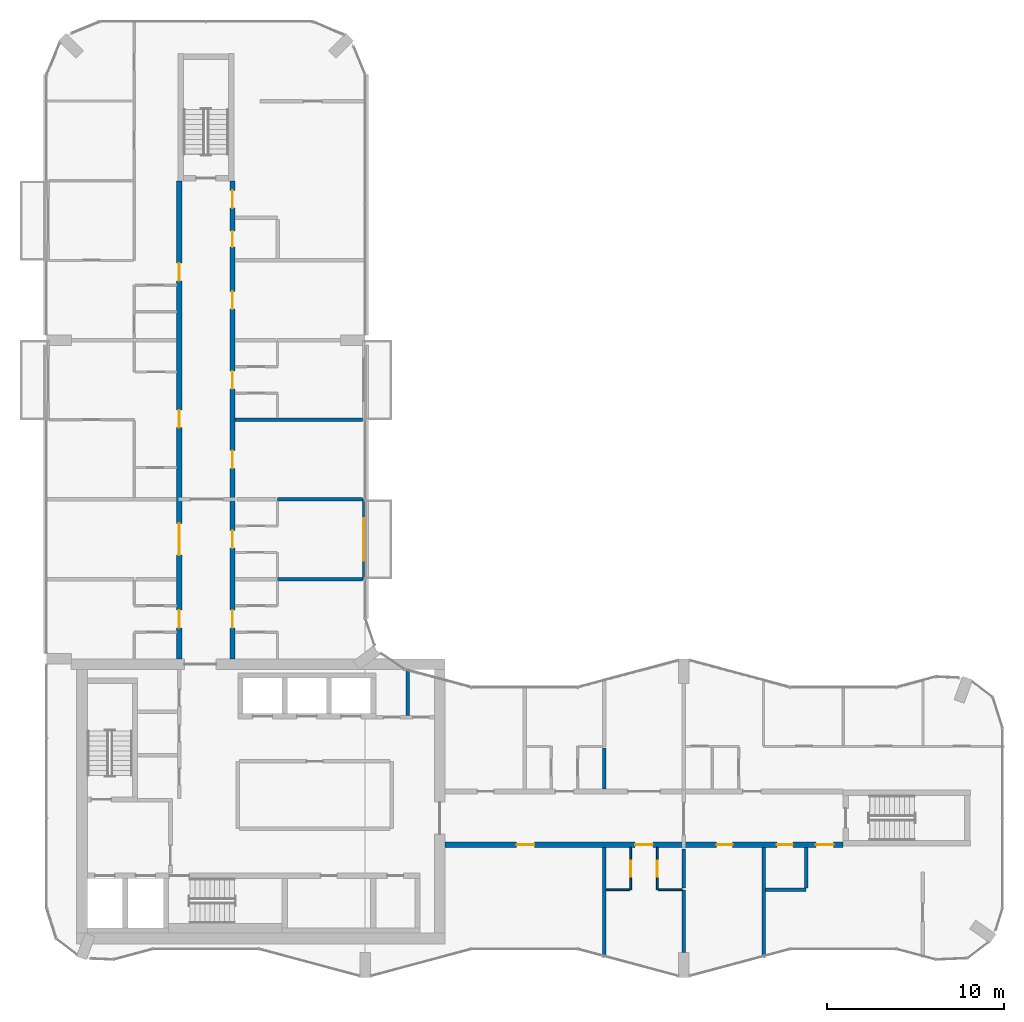
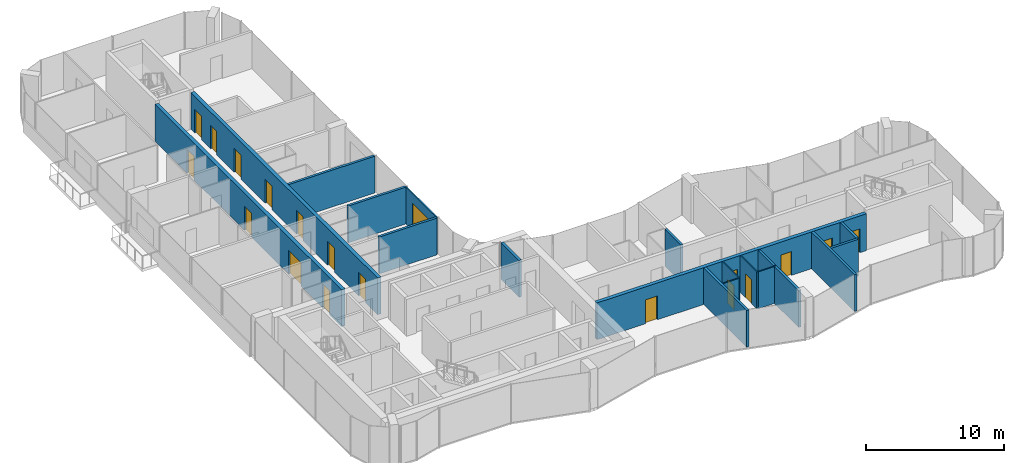
# One storey, part 11 of 15: 19 doors, 19 walls, 19 openings.
"""IFC4 building model written with IfcOpenShell, lengths in metres."""

from ifc_helpers import new_model, si_unit, direction, frame, frame_2d, origin, place, context, subcontext, project, spatial, rectangle, extrude, material, layer, layer_set, type_object, element, fill, save


model = new_model("IFC4")

# Units and contexts
model_context = context("Model", 3, precision=1e-05, world=origin(), true_north=direction((0.0, 1.0)))
body_context = subcontext(model_context, "Body", "Model", "MODEL_VIEW")
ifc_project = project(units=[si_unit("LENGTHUNIT", "METRE"), si_unit("AREAUNIT", "SQUARE_METRE"), si_unit("VOLUMEUNIT", "CUBIC_METRE"), si_unit("PLANEANGLEUNIT", "RADIAN"), si_unit("MASSUNIT", "GRAM", prefix="KILO")], contexts=[model_context])

# Site, building, storey
site_placement = place(None, origin())
site = spatial("IfcSite", under=ifc_project, at=site_placement, CompositionType="ELEMENT")
building_placement = place(site_placement, origin())
building = spatial("IfcBuilding", under=site, at=building_placement, Name="Plateau Cross Towers", CompositionType="ELEMENT")
storey_placement = place(building_placement, frame((0.0, 0.0, 174.39990234375)))
storey = spatial("IfcBuildingStorey", under=building, at=storey_placement, Name="L45", CompositionType="ELEMENT", Elevation=174.39990234375)

# Wall, opening, door
ifc_material_1 = material(Name="Aluminium framed glazing", Category="aluminium")
ifc_layer_1 = layer(ifc_material_1, 0.10009765625)
ifc_layer_set_1 = layer_set([ifc_layer_1], Name="Aluminium framed glazing")
wall_type_1 = type_object("IfcWallType", Name="Balcony screen wall 100", PredefinedType="STANDARD", material=ifc_layer_set_1)
wall_1_placement = place(storey_placement, frame((17.89990234375, 27.0, 0.0), z_axis=(0.0, 0.0, 1.0), x_axis=(0.0, -1.0, 0.0)))
wall_1 = element("IfcWall", 1, at=wall_1_placement, inside=storey, type_object=wall_type_1, Name="Balcony screen wall A-BAL-L45-03", PredefinedType="STANDARD", context=body_context, shape_type="SweptSolid", body=[
    extrude(rectangle(XDim=4.5, YDim=0.10009765625, at=frame_2d((2.25, 0.0))), origin(), (0.0, 0.0, 1.0), 3.25),
])
opening_1_placement = place(wall_1_placement, frame((1.050048828125, 0.0, 0.0)))
opening_1 = element("IfcOpeningElement", 2, at=opening_1_placement, cuts=wall_1, Name="Opening D-B24", PredefinedType="OPENING", context=body_context, shape_type="SweptSolid", body=[
    extrude(rectangle(XDim=2.39990234375, YDim=2.39990234375, at=frame_2d((1.199951171875, 1.199951171875))), frame((0.0, 0.06005859375, 0.0), z_axis=(0.0, -1.0, 0.0), x_axis=(1.0, 0.0, 0.0)), (0.0, 0.0, 1.0), 0.1201171875),
])
ifc_material_2 = material(Name="Aluminium frame, double glazing", Category="aluminium")
door_type_1 = type_object("IfcDoorType", Name="Balcony sliding door 2400", OperationType="NOTDEFINED", PredefinedType="DOOR", material=ifc_material_2)
door_1_placement = place(opening_1_placement, origin())
door_1 = element("IfcDoor", 3, at=door_1_placement, inside=storey, type_object=door_type_1, Name="Balcony door A-BAL-L45-03", OperationType="SINGLE_SWING_LEFT", OverallHeight=2.39990234375, OverallWidth=2.39990234375, PredefinedType="DOOR", context=body_context, shape_type="SweptSolid", body=[
    extrude(rectangle(XDim=2.39990234375, YDim=2.39990234375, at=frame_2d((1.199951171875, 1.199951171875))), frame((0.0, 0.02490234375, 0.0), z_axis=(0.0, -1.0, 0.0), x_axis=(1.0, 0.0, 0.0)), (0.0, 0.0, 1.0), 0.050048828125),
])
fill(opening_1, door_1)

# Wall
ifc_material_3 = material(Name="Concrete block, plastered both sides", Category="concrete")
ifc_layer_2 = layer(ifc_material_3, 0.199951171875)
ifc_layer_set_2 = layer_set([ifc_layer_2], Name="Concrete block, plastered both sides")
wall_type_2 = type_object("IfcWallType", Name="Core partition 200", PredefinedType="PARTITIONING", material=ifc_layer_set_2)
wall_2_placement = place(storey_placement, frame((20.39990234375, 14.800048828125, 0.0), z_axis=(0.0, 0.0, 1.0), x_axis=(0.0, 1.0, 0.0)))
element("IfcWall", 4, at=wall_2_placement, inside=storey, type_object=wall_type_2, Name="Core partition", PredefinedType="PARTITIONING", context=body_context, shape_type="SweptSolid", body=[
    extrude(rectangle(XDim=2.599853515625, YDim=0.199951171875, at=frame_2d((1.2998046875, 0.0))), origin(), (0.0, 0.0, 1.0), 3.25),
])

# Wall, openings, doors
ifc_material_4 = material(Name="Concrete C60/75", Category="concrete")
ifc_layer_3 = layer(ifc_material_4, 0.300048828125)
ifc_layer_set_3 = layer_set([ifc_layer_3], Name="Concrete C60/75")
wall_type_3 = type_object("IfcWallType", Name="Corridor wall 300", PredefinedType="SHEAR", material=ifc_layer_set_3)
wall_3_placement = place(storey_placement, frame((22.5, 7.5, 0.0), z_axis=(0.0, 0.0, 1.0), x_axis=(1.0, 0.0, 0.0)))
wall_3 = element("IfcWall", 5, at=wall_3_placement, inside=storey, type_object=wall_type_3, Name="A-cw-S1@L45", PredefinedType="SHEAR", context=body_context, shape_type="SweptSolid", body=[
    extrude(rectangle(XDim=22.5, YDim=0.300048828125, at=frame_2d((11.25, 0.0))), origin(), (0.0, 0.0, 1.0), 3.25),
])
opening_2_placement = place(wall_3_placement, frame((4.050048828125, 0.0, 0.0)))
opening_2 = element("IfcOpeningElement", 6, at=opening_2_placement, cuts=wall_3, Name="Opening 45-01", PredefinedType="OPENING", context=body_context, shape_type="SweptSolid", body=[
    extrude(rectangle(XDim=1.0, YDim=2.10009765625, at=frame_2d((0.5, 1.050048828125))), frame((0.0, 0.159912109375, 0.0), z_axis=(0.0, -1.0, 0.0), x_axis=(1.0, 0.0, 0.0)), (0.0, 0.0, 1.0), 0.320068359375),
])
opening_3_placement = place(wall_3_placement, frame((10.75, 0.0, 0.0)))
opening_3 = element("IfcOpeningElement", 7, at=opening_3_placement, cuts=wall_3, Name="Opening 45-02", PredefinedType="OPENING", context=body_context, shape_type="SweptSolid", body=[
    extrude(rectangle(XDim=1.0, YDim=2.10009765625, at=frame_2d((0.5, 1.050048828125))), frame((0.0, 0.159912109375, 0.0), z_axis=(0.0, -1.0, 0.0), x_axis=(1.0, 0.0, 0.0)), (0.0, 0.0, 1.0), 0.320068359375),
])
opening_4_placement = place(wall_3_placement, frame((15.35009765625, 0.0, 0.0)))
opening_4 = element("IfcOpeningElement", 8, at=opening_4_placement, cuts=wall_3, Name="Opening 45-03", PredefinedType="OPENING", context=body_context, shape_type="SweptSolid", body=[
    extrude(rectangle(XDim=0.89990234375, YDim=2.10009765625, at=frame_2d((0.449951171875, 1.050048828125))), frame((0.0, 0.159912109375, 0.0), z_axis=(0.0, -1.0, 0.0), x_axis=(1.0, 0.0, 0.0)), (0.0, 0.0, 1.0), 0.320068359375),
])
opening_5_placement = place(wall_3_placement, frame((18.75, 0.0, 0.0)))
opening_5 = element("IfcOpeningElement", 9, at=opening_5_placement, cuts=wall_3, Name="Opening 45-04", PredefinedType="OPENING", context=body_context, shape_type="SweptSolid", body=[
    extrude(rectangle(XDim=0.89990234375, YDim=2.10009765625, at=frame_2d((0.449951171875, 1.050048828125))), frame((0.0, 0.159912109375, 0.0), z_axis=(0.0, -1.0, 0.0), x_axis=(1.0, 0.0, 0.0)), (0.0, 0.0, 1.0), 0.320068359375),
])
opening_6_placement = place(wall_3_placement, frame((20.949951171875, 0.0, 0.0)))
opening_6 = element("IfcOpeningElement", 10, at=opening_6_placement, cuts=wall_3, Name="Opening 45-05", PredefinedType="OPENING", context=body_context, shape_type="SweptSolid", body=[
    extrude(rectangle(XDim=1.0, YDim=2.10009765625, at=frame_2d((0.5, 1.050048828125))), frame((0.0, 0.159912109375, 0.0), z_axis=(0.0, -1.0, 0.0), x_axis=(1.0, 0.0, 0.0)), (0.0, 0.0, 1.0), 0.320068359375),
])
ifc_material_5 = material(Name="Timber, fire-resisting leaf", Category="wood")
door_type_2 = type_object("IfcDoorType", Name="Flat entrance door 1000", OperationType="NOTDEFINED", PredefinedType="DOOR", material=ifc_material_5)
door_2_placement = place(opening_2_placement, origin())
door_2 = element("IfcDoor", 11, at=door_2_placement, inside=storey, type_object=door_type_2, Name="Door 45-01", OperationType="SINGLE_SWING_LEFT", OverallHeight=2.10009765625, OverallWidth=1.0, PredefinedType="DOOR", context=body_context, shape_type="SweptSolid", body=[
    extrude(rectangle(XDim=1.0, YDim=2.10009765625, at=frame_2d((0.5, 1.050048828125))), frame((0.0, 0.02490234375, 0.0), z_axis=(0.0, -1.0, 0.0), x_axis=(1.0, 0.0, 0.0)), (0.0, 0.0, 1.0), 0.050048828125),
])
fill(opening_2, door_2)
door_3_placement = place(opening_3_placement, origin())
door_3 = element("IfcDoor", 12, at=door_3_placement, inside=storey, type_object=door_type_2, Name="Door 45-02", OperationType="SINGLE_SWING_LEFT", OverallHeight=2.10009765625, OverallWidth=1.0, PredefinedType="DOOR", context=body_context, shape_type="SweptSolid", body=[
    extrude(rectangle(XDim=1.0, YDim=2.10009765625, at=frame_2d((0.5, 1.050048828125))), frame((0.0, 0.02490234375, 0.0), z_axis=(0.0, -1.0, 0.0), x_axis=(1.0, 0.0, 0.0)), (0.0, 0.0, 1.0), 0.050048828125),
])
fill(opening_3, door_3)
door_4_placement = place(opening_6_placement, origin())
door_4 = element("IfcDoor", 13, at=door_4_placement, inside=storey, type_object=door_type_2, Name="Door 45-05", OperationType="SINGLE_SWING_RIGHT", OverallHeight=2.10009765625, OverallWidth=1.0, PredefinedType="DOOR", context=body_context, shape_type="SweptSolid", body=[
    extrude(rectangle(XDim=1.0, YDim=2.10009765625, at=frame_2d((0.5, 1.050048828125))), frame((0.0, 0.02490234375, 0.0), z_axis=(0.0, -1.0, 0.0), x_axis=(1.0, 0.0, 0.0)), (0.0, 0.0, 1.0), 0.050048828125),
])
fill(opening_6, door_4)
door_type_3 = type_object("IfcDoorType", Name="Flat floor service door 900", OperationType="NOTDEFINED", PredefinedType="DOOR", material=ifc_material_5)
door_5_placement = place(opening_4_placement, origin())
door_5 = element("IfcDoor", 14, at=door_5_placement, inside=storey, type_object=door_type_3, Name="Door 45-03", OperationType="SINGLE_SWING_RIGHT", OverallHeight=2.10009765625, OverallWidth=0.89990234375, PredefinedType="DOOR", context=body_context, shape_type="SweptSolid", body=[
    extrude(rectangle(XDim=0.89990234375, YDim=2.10009765625, at=frame_2d((0.449951171875, 1.050048828125))), frame((0.0, 0.02490234375, 0.0), z_axis=(0.0, -1.0, 0.0), x_axis=(1.0, 0.0, 0.0)), (0.0, 0.0, 1.0), 0.050048828125),
])
fill(opening_4, door_5)
door_6_placement = place(opening_5_placement, origin())
door_6 = element("IfcDoor", 15, at=door_6_placement, inside=storey, type_object=door_type_3, Name="Door 45-04", OperationType="SINGLE_SWING_RIGHT", OverallHeight=2.10009765625, OverallWidth=0.89990234375, PredefinedType="DOOR", context=body_context, shape_type="SweptSolid", body=[
    extrude(rectangle(XDim=0.89990234375, YDim=2.10009765625, at=frame_2d((0.449951171875, 1.050048828125))), frame((0.0, 0.02490234375, 0.0), z_axis=(0.0, -1.0, 0.0), x_axis=(1.0, 0.0, 0.0)), (0.0, 0.0, 1.0), 0.050048828125),
])
fill(opening_5, door_6)

wall_4_placement = place(storey_placement, frame((7.5, 18.0, 0.0), z_axis=(0.0, 0.0, 1.0), x_axis=(0.0, 1.0, 0.0)))
wall_4 = element("IfcWall", 16, at=wall_4_placement, inside=storey, type_object=wall_type_3, Name="A-cw-W1@L45", PredefinedType="SHEAR", context=body_context, shape_type="SweptSolid", body=[
    extrude(rectangle(XDim=27.0, YDim=0.300048828125, at=frame_2d((13.5, 0.0))), origin(), (0.0, 0.0, 1.0), 3.25),
])
opening_7_placement = place(wall_4_placement, frame((1.75, 0.0, 0.0)))
opening_7 = element("IfcOpeningElement", 17, at=opening_7_placement, cuts=wall_4, Name="Opening 45-10", PredefinedType="OPENING", context=body_context, shape_type="SweptSolid", body=[
    extrude(rectangle(XDim=1.0, YDim=2.10009765625, at=frame_2d((0.5, 1.050048828125))), frame((0.0, 0.159912109375, 0.0), z_axis=(0.0, -1.0, 0.0), x_axis=(1.0, 0.0, 0.0)), (0.0, 0.0, 1.0), 0.320068359375),
])
opening_8_placement = place(wall_4_placement, frame((5.85009765625, 0.0, 0.0)))
opening_8 = element("IfcOpeningElement", 18, at=opening_8_placement, cuts=wall_4, Name="Opening 45-11", PredefinedType="OPENING", context=body_context, shape_type="SweptSolid", body=[
    extrude(rectangle(XDim=1.800048828125, YDim=2.10009765625, at=frame_2d((0.89990234375, 1.050048828125))), frame((0.0, 0.159912109375, 0.0), z_axis=(0.0, -1.0, 0.0), x_axis=(1.0, 0.0, 0.0)), (0.0, 0.0, 1.0), 0.320068359375),
])
opening_9_placement = place(wall_4_placement, frame((13.050048828125, 0.0, 0.0)))
opening_9 = element("IfcOpeningElement", 19, at=opening_9_placement, cuts=wall_4, Name="Opening 45-12", PredefinedType="OPENING", context=body_context, shape_type="SweptSolid", body=[
    extrude(rectangle(XDim=1.0, YDim=2.10009765625, at=frame_2d((0.5, 1.050048828125))), frame((0.0, 0.159912109375, 0.0), z_axis=(0.0, -1.0, 0.0), x_axis=(1.0, 0.0, 0.0)), (0.0, 0.0, 1.0), 0.320068359375),
])
opening_10_placement = place(wall_4_placement, frame((21.35009765625, 0.0, 0.0)))
opening_10 = element("IfcOpeningElement", 20, at=opening_10_placement, cuts=wall_4, Name="Opening 45-13", PredefinedType="OPENING", context=body_context, shape_type="SweptSolid", body=[
    extrude(rectangle(XDim=1.0, YDim=2.10009765625, at=frame_2d((0.5, 1.050048828125))), frame((0.0, 0.159912109375, 0.0), z_axis=(0.0, -1.0, 0.0), x_axis=(1.0, 0.0, 0.0)), (0.0, 0.0, 1.0), 0.320068359375),
])
door_7_placement = place(opening_7_placement, origin())
door_7 = element("IfcDoor", 21, at=door_7_placement, inside=storey, type_object=door_type_2, Name="Door 45-10", OperationType="SINGLE_SWING_LEFT", OverallHeight=2.10009765625, OverallWidth=1.0, PredefinedType="DOOR", context=body_context, shape_type="SweptSolid", body=[
    extrude(rectangle(XDim=1.0, YDim=2.10009765625, at=frame_2d((0.5, 1.050048828125))), frame((0.0, 0.02490234375, 0.0), z_axis=(0.0, -1.0, 0.0), x_axis=(1.0, 0.0, 0.0)), (0.0, 0.0, 1.0), 0.050048828125),
])
fill(opening_7, door_7)
door_8_placement = place(opening_9_placement, origin())
door_8 = element("IfcDoor", 22, at=door_8_placement, inside=storey, type_object=door_type_2, Name="Door 45-12", OperationType="SINGLE_SWING_RIGHT", OverallHeight=2.10009765625, OverallWidth=1.0, PredefinedType="DOOR", context=body_context, shape_type="SweptSolid", body=[
    extrude(rectangle(XDim=1.0, YDim=2.10009765625, at=frame_2d((0.5, 1.050048828125))), frame((0.0, 0.02490234375, 0.0), z_axis=(0.0, -1.0, 0.0), x_axis=(1.0, 0.0, 0.0)), (0.0, 0.0, 1.0), 0.050048828125),
])
fill(opening_9, door_8)
door_9_placement = place(opening_10_placement, origin())
door_9 = element("IfcDoor", 23, at=door_9_placement, inside=storey, type_object=door_type_2, Name="Door 45-13", OperationType="SINGLE_SWING_RIGHT", OverallHeight=2.10009765625, OverallWidth=1.0, PredefinedType="DOOR", context=body_context, shape_type="SweptSolid", body=[
    extrude(rectangle(XDim=1.0, YDim=2.10009765625, at=frame_2d((0.5, 1.050048828125))), frame((0.0, 0.02490234375, 0.0), z_axis=(0.0, -1.0, 0.0), x_axis=(1.0, 0.0, 0.0)), (0.0, 0.0, 1.0), 0.050048828125),
])
fill(opening_10, door_9)
ifc_material_6 = material(Name="Timber, fire-resisting leaves", Category="wood")
door_type_4 = type_object("IfcDoorType", Name="Flat floor fire door pair 1800", OperationType="NOTDEFINED", PredefinedType="DOOR", material=ifc_material_6)
door_10_placement = place(opening_8_placement, origin())
door_10 = element("IfcDoor", 24, at=door_10_placement, inside=storey, type_object=door_type_4, Name="Door 45-11", OperationType="SINGLE_SWING_LEFT", OverallHeight=2.10009765625, OverallWidth=1.800048828125, PredefinedType="DOOR", context=body_context, shape_type="SweptSolid", body=[
    extrude(rectangle(XDim=1.800048828125, YDim=2.10009765625, at=frame_2d((0.89990234375, 1.050048828125))), frame((0.0, 0.02490234375, 0.0), z_axis=(0.0, -1.0, 0.0), x_axis=(1.0, 0.0, 0.0)), (0.0, 0.0, 1.0), 0.050048828125),
])
fill(opening_8, door_10)

wall_5_placement = place(storey_placement, frame((10.5, 18.0, 0.0), z_axis=(0.0, 0.0, 1.0), x_axis=(0.0, 1.0, 0.0)))
wall_5 = element("IfcWall", 25, at=wall_5_placement, inside=storey, type_object=wall_type_3, Name="A-cw-W2@L45", PredefinedType="SHEAR", context=body_context, shape_type="SweptSolid", body=[
    extrude(rectangle(XDim=27.0, YDim=0.300048828125, at=frame_2d((13.5, 0.0))), origin(), (0.0, 0.0, 1.0), 3.25),
])
opening_11_placement = place(wall_5_placement, frame((1.75, 0.0, 0.0)))
opening_11 = element("IfcOpeningElement", 26, at=opening_11_placement, cuts=wall_5, Name="Opening 45-14", PredefinedType="OPENING", context=body_context, shape_type="SweptSolid", body=[
    extrude(rectangle(XDim=1.0, YDim=2.10009765625, at=frame_2d((0.5, 1.050048828125))), frame((0.0, 0.159912109375, 0.0), z_axis=(0.0, -1.0, 0.0), x_axis=(1.0, 0.0, 0.0)), (0.0, 0.0, 1.0), 0.320068359375),
])
opening_12_placement = place(wall_5_placement, frame((6.25, 0.0, 0.0)))
opening_12 = element("IfcOpeningElement", 27, at=opening_12_placement, cuts=wall_5, Name="Opening 45-15", PredefinedType="OPENING", context=body_context, shape_type="SweptSolid", body=[
    extrude(rectangle(XDim=1.0, YDim=2.10009765625, at=frame_2d((0.5, 1.050048828125))), frame((0.0, 0.159912109375, 0.0), z_axis=(0.0, -1.0, 0.0), x_axis=(1.0, 0.0, 0.0)), (0.0, 0.0, 1.0), 0.320068359375),
])
opening_13_placement = place(wall_5_placement, frame((10.75, 0.0, 0.0)))
opening_13 = element("IfcOpeningElement", 28, at=opening_13_placement, cuts=wall_5, Name="Opening 45-16", PredefinedType="OPENING", context=body_context, shape_type="SweptSolid", body=[
    extrude(rectangle(XDim=1.0, YDim=2.10009765625, at=frame_2d((0.5, 1.050048828125))), frame((0.0, 0.159912109375, 0.0), z_axis=(0.0, -1.0, 0.0), x_axis=(1.0, 0.0, 0.0)), (0.0, 0.0, 1.0), 0.320068359375),
])
opening_14_placement = place(wall_5_placement, frame((15.25, 0.0, 0.0)))
opening_14 = element("IfcOpeningElement", 29, at=opening_14_placement, cuts=wall_5, Name="Opening 45-17", PredefinedType="OPENING", context=body_context, shape_type="SweptSolid", body=[
    extrude(rectangle(XDim=1.0, YDim=2.10009765625, at=frame_2d((0.5, 1.050048828125))), frame((0.0, 0.159912109375, 0.0), z_axis=(0.0, -1.0, 0.0), x_axis=(1.0, 0.0, 0.0)), (0.0, 0.0, 1.0), 0.320068359375),
])
opening_15_placement = place(wall_5_placement, frame((19.75, 0.0, 0.0)))
opening_15 = element("IfcOpeningElement", 30, at=opening_15_placement, cuts=wall_5, Name="Opening 45-18", PredefinedType="OPENING", context=body_context, shape_type="SweptSolid", body=[
    extrude(rectangle(XDim=1.0, YDim=2.10009765625, at=frame_2d((0.5, 1.050048828125))), frame((0.0, 0.159912109375, 0.0), z_axis=(0.0, -1.0, 0.0), x_axis=(1.0, 0.0, 0.0)), (0.0, 0.0, 1.0), 0.320068359375),
])
opening_16_placement = place(wall_5_placement, frame((23.25, 0.0, 0.0)))
opening_16 = element("IfcOpeningElement", 31, at=opening_16_placement, cuts=wall_5, Name="Opening 45-19", PredefinedType="OPENING", context=body_context, shape_type="SweptSolid", body=[
    extrude(rectangle(XDim=0.89990234375, YDim=2.10009765625, at=frame_2d((0.449951171875, 1.050048828125))), frame((0.0, 0.159912109375, 0.0), z_axis=(0.0, -1.0, 0.0), x_axis=(1.0, 0.0, 0.0)), (0.0, 0.0, 1.0), 0.320068359375),
])
opening_17_placement = place(wall_5_placement, frame((25.449951171875, 0.0, 0.0)))
opening_17 = element("IfcOpeningElement", 32, at=opening_17_placement, cuts=wall_5, Name="Opening 45-20", PredefinedType="OPENING", context=body_context, shape_type="SweptSolid", body=[
    extrude(rectangle(XDim=1.0, YDim=2.10009765625, at=frame_2d((0.5, 1.050048828125))), frame((0.0, 0.159912109375, 0.0), z_axis=(0.0, -1.0, 0.0), x_axis=(1.0, 0.0, 0.0)), (0.0, 0.0, 1.0), 0.320068359375),
])
door_11_placement = place(opening_11_placement, origin())
door_11 = element("IfcDoor", 33, at=door_11_placement, inside=storey, type_object=door_type_2, Name="Door 45-14", OperationType="SINGLE_SWING_LEFT", OverallHeight=2.10009765625, OverallWidth=1.0, PredefinedType="DOOR", context=body_context, shape_type="SweptSolid", body=[
    extrude(rectangle(XDim=1.0, YDim=2.10009765625, at=frame_2d((0.5, 1.050048828125))), frame((0.0, 0.02490234375, 0.0), z_axis=(0.0, -1.0, 0.0), x_axis=(1.0, 0.0, 0.0)), (0.0, 0.0, 1.0), 0.050048828125),
])
fill(opening_11, door_11)
door_12_placement = place(opening_12_placement, origin())
door_12 = element("IfcDoor", 34, at=door_12_placement, inside=storey, type_object=door_type_2, Name="Door 45-15", OperationType="SINGLE_SWING_LEFT", OverallHeight=2.10009765625, OverallWidth=1.0, PredefinedType="DOOR", context=body_context, shape_type="SweptSolid", body=[
    extrude(rectangle(XDim=1.0, YDim=2.10009765625, at=frame_2d((0.5, 1.050048828125))), frame((0.0, 0.02490234375, 0.0), z_axis=(0.0, -1.0, 0.0), x_axis=(1.0, 0.0, 0.0)), (0.0, 0.0, 1.0), 0.050048828125),
])
fill(opening_12, door_12)
door_13_placement = place(opening_13_placement, origin())
door_13 = element("IfcDoor", 35, at=door_13_placement, inside=storey, type_object=door_type_2, Name="Door 45-16", OperationType="SINGLE_SWING_LEFT", OverallHeight=2.10009765625, OverallWidth=1.0, PredefinedType="DOOR", context=body_context, shape_type="SweptSolid", body=[
    extrude(rectangle(XDim=1.0, YDim=2.10009765625, at=frame_2d((0.5, 1.050048828125))), frame((0.0, 0.02490234375, 0.0), z_axis=(0.0, -1.0, 0.0), x_axis=(1.0, 0.0, 0.0)), (0.0, 0.0, 1.0), 0.050048828125),
])
fill(opening_13, door_13)
door_14_placement = place(opening_14_placement, origin())
door_14 = element("IfcDoor", 36, at=door_14_placement, inside=storey, type_object=door_type_2, Name="Door 45-17", OperationType="SINGLE_SWING_RIGHT", OverallHeight=2.10009765625, OverallWidth=1.0, PredefinedType="DOOR", context=body_context, shape_type="SweptSolid", body=[
    extrude(rectangle(XDim=1.0, YDim=2.10009765625, at=frame_2d((0.5, 1.050048828125))), frame((0.0, 0.02490234375, 0.0), z_axis=(0.0, -1.0, 0.0), x_axis=(1.0, 0.0, 0.0)), (0.0, 0.0, 1.0), 0.050048828125),
])
fill(opening_14, door_14)
door_15_placement = place(opening_15_placement, origin())
door_15 = element("IfcDoor", 37, at=door_15_placement, inside=storey, type_object=door_type_2, Name="Door 45-18", OperationType="SINGLE_SWING_RIGHT", OverallHeight=2.10009765625, OverallWidth=1.0, PredefinedType="DOOR", context=body_context, shape_type="SweptSolid", body=[
    extrude(rectangle(XDim=1.0, YDim=2.10009765625, at=frame_2d((0.5, 1.050048828125))), frame((0.0, 0.02490234375, 0.0), z_axis=(0.0, -1.0, 0.0), x_axis=(1.0, 0.0, 0.0)), (0.0, 0.0, 1.0), 0.050048828125),
])
fill(opening_15, door_15)
door_16_placement = place(opening_17_placement, origin())
door_16 = element("IfcDoor", 38, at=door_16_placement, inside=storey, type_object=door_type_2, Name="Door 45-20", OperationType="SINGLE_SWING_RIGHT", OverallHeight=2.10009765625, OverallWidth=1.0, PredefinedType="DOOR", context=body_context, shape_type="SweptSolid", body=[
    extrude(rectangle(XDim=1.0, YDim=2.10009765625, at=frame_2d((0.5, 1.050048828125))), frame((0.0, 0.02490234375, 0.0), z_axis=(0.0, -1.0, 0.0), x_axis=(1.0, 0.0, 0.0)), (0.0, 0.0, 1.0), 0.050048828125),
])
fill(opening_17, door_16)
door_17_placement = place(opening_16_placement, origin())
door_17 = element("IfcDoor", 39, at=door_17_placement, inside=storey, type_object=door_type_3, Name="Door 45-19", OperationType="SINGLE_SWING_RIGHT", OverallHeight=2.10009765625, OverallWidth=0.89990234375, PredefinedType="DOOR", context=body_context, shape_type="SweptSolid", body=[
    extrude(rectangle(XDim=0.89990234375, YDim=2.10009765625, at=frame_2d((0.449951171875, 1.050048828125))), frame((0.0, 0.02490234375, 0.0), z_axis=(0.0, -1.0, 0.0), x_axis=(1.0, 0.0, 0.0)), (0.0, 0.0, 1.0), 0.050048828125),
])
fill(opening_16, door_17)

# Walls
ifc_material_7 = material(Name="Gypsum board on steel studs", Category="steel")
ifc_layer_4 = layer(ifc_material_7, 0.10009765625)
ifc_layer_set_4 = layer_set([ifc_layer_4], Name="Gypsum board on steel studs")
wall_type_4 = type_object("IfcWallType", Name="Flat partition 100", PredefinedType="PARTITIONING", material=ifc_layer_set_4)
for number, where, z_axis, x_axis, name in (
    (40, (31.60009765625, 4.949951171875, 0.0), (0.0, 0.0, 1.0), (1.0, 0.0, 0.0), "Partition wall"),
    (41, (34.550048828125, 4.949951171875, 0.0), (0.0, 0.0, 1.0), (1.0, 0.0, 0.0), "Partition wall"),
):
    element("IfcWall", number, at=place(storey_placement, frame(where, z_axis=z_axis, x_axis=x_axis)), inside=storey, type_object=wall_type_4, Name=name, PredefinedType="PARTITIONING", context=body_context, shape_type="SweptSolid", body=[
        extrude(rectangle(XDim=1.349853515625, YDim=0.10009765625, at=frame_2d((0.6748046875, 0.0))), origin(), (0.0, 0.0, 1.0), 3.25),
    ])

# Wall, opening, door
wall_6_placement = place(storey_placement, frame((33.0, 4.949951171875, 0.0), z_axis=(0.0, 0.0, 1.0), x_axis=(0.0, 1.0, 0.0)))
wall_6 = element("IfcWall", 42, at=wall_6_placement, inside=storey, type_object=wall_type_4, Name="Partition wall", PredefinedType="PARTITIONING", context=body_context, shape_type="SweptSolid", body=[
    extrude(rectangle(XDim=2.400146484375, YDim=0.10009765625, at=frame_2d((1.2001953125, 0.0))), origin(), (0.0, 0.0, 1.0), 3.25),
])
opening_18_placement = place(wall_6_placement, frame((0.75, 0.0, 0.0)))
opening_18 = element("IfcOpeningElement", 43, at=opening_18_placement, cuts=wall_6, Name="Opening 45-25", PredefinedType="OPENING", context=body_context, shape_type="SweptSolid", body=[
    extrude(rectangle(XDim=0.89990234375, YDim=2.10009765625, at=frame_2d((0.449951171875, 1.050048828125))), frame((0.0, 0.06005859375, 0.0), z_axis=(0.0, -1.0, 0.0), x_axis=(1.0, 0.0, 0.0)), (0.0, 0.0, 1.0), 0.1201171875),
])
ifc_material_8 = material(Name="Timber leaf", Category="wood")
door_type_5 = type_object("IfcDoorType", Name="Flat room door 900", OperationType="NOTDEFINED", PredefinedType="DOOR", material=ifc_material_8)
door_18_placement = place(opening_18_placement, origin())
door_18 = element("IfcDoor", 44, at=door_18_placement, inside=storey, type_object=door_type_5, Name="Door 45-25", OperationType="SINGLE_SWING_RIGHT", OverallHeight=2.10009765625, OverallWidth=0.89990234375, PredefinedType="DOOR", context=body_context, shape_type="SweptSolid", body=[
    extrude(rectangle(XDim=0.89990234375, YDim=2.10009765625, at=frame_2d((0.449951171875, 1.050048828125))), frame((0.0, 0.02490234375, 0.0), z_axis=(0.0, -1.0, 0.0), x_axis=(1.0, 0.0, 0.0)), (0.0, 0.0, 1.0), 0.050048828125),
])
fill(opening_18, door_18)

wall_7_placement = place(storey_placement, frame((34.5, 7.35009765625, 0.0), z_axis=(0.0, 0.0, 1.0), x_axis=(0.0, -1.0, 0.0)))
wall_7 = element("IfcWall", 45, at=wall_7_placement, inside=storey, type_object=wall_type_4, Name="Partition wall", PredefinedType="PARTITIONING", context=body_context, shape_type="SweptSolid", body=[
    extrude(rectangle(XDim=2.400146484375, YDim=0.10009765625, at=frame_2d((1.2001953125, 0.0))), origin(), (0.0, 0.0, 1.0), 3.25),
])
opening_19_placement = place(wall_7_placement, frame((0.75, 0.0, 0.0)))
opening_19 = element("IfcOpeningElement", 46, at=opening_19_placement, cuts=wall_7, Name="Opening 45-26", PredefinedType="OPENING", context=body_context, shape_type="SweptSolid", body=[
    extrude(rectangle(XDim=0.89990234375, YDim=2.10009765625, at=frame_2d((0.449951171875, 1.050048828125))), frame((0.0, 0.06005859375, 0.0), z_axis=(0.0, -1.0, 0.0), x_axis=(1.0, 0.0, 0.0)), (0.0, 0.0, 1.0), 0.1201171875),
])
door_19_placement = place(opening_19_placement, origin())
door_19 = element("IfcDoor", 47, at=door_19_placement, inside=storey, type_object=door_type_5, Name="Door 45-26", OperationType="SINGLE_SWING_RIGHT", OverallHeight=2.10009765625, OverallWidth=0.89990234375, PredefinedType="DOOR", context=body_context, shape_type="SweptSolid", body=[
    extrude(rectangle(XDim=0.89990234375, YDim=2.10009765625, at=frame_2d((0.449951171875, 1.050048828125))), frame((0.0, 0.02490234375, 0.0), z_axis=(0.0, -1.0, 0.0), x_axis=(1.0, 0.0, 0.0)), (0.0, 0.0, 1.0), 0.050048828125),
])
fill(opening_19, door_19)

# Walls
ifc_material_9 = material(Name="Gypsum board on steel studs, two layers each side", Category="steel")
ifc_layer_5 = layer(ifc_material_9, 0.199951171875)
ifc_layer_set_5 = layer_set([ifc_layer_5], Name="Gypsum board on steel studs, two layers each side")
wall_type_5 = type_object("IfcWallType", Name="Flat party wall 200", PredefinedType="PARTITIONING", material=ifc_layer_set_5)
wall_8_placement = place(storey_placement, frame((40.60009765625, 4.949951171875, 0.0), z_axis=(0.0, 0.0, 1.0), x_axis=(1.0, 0.0, 0.0)))
element("IfcWall", 48, at=wall_8_placement, inside=storey, type_object=wall_type_5, Name="Party wall", PredefinedType="PARTITIONING", context=body_context, shape_type="SweptSolid", body=[
    extrude(rectangle(XDim=2.2998046875, YDim=0.199951171875, at=frame_2d((1.14990234375, 0.0))), origin(), (0.0, 0.0, 1.0), 3.25),
])
for number, where, z_axis, x_axis, name in (
    (49, (13.050048828125, 22.5, 0.0), (0.0, 0.0, 1.0), (1.0, 0.0, 0.0), "Party wall"),
    (50, (13.050048828125, 27.0, 0.0), (0.0, 0.0, 1.0), (1.0, 0.0, 0.0), "Party wall"),
):
    element("IfcWall", number, at=place(storey_placement, frame(where, z_axis=z_axis, x_axis=x_axis)), inside=storey, type_object=wall_type_5, Name=name, PredefinedType="PARTITIONING", context=body_context, shape_type="SweptSolid", body=[
        extrude(rectangle(XDim=4.800048828125, YDim=0.199951171875, at=frame_2d((2.39990234375, 0.0))), origin(), (0.0, 0.0, 1.0), 3.25),
    ])
wall_9_placement = place(storey_placement, frame((17.85009765625, 31.5, 0.0), z_axis=(0.0, 0.0, 1.0), x_axis=(-1.0, 0.0, 0.0)))
element("IfcWall", 51, at=wall_9_placement, inside=storey, type_object=wall_type_5, Name="Party wall", PredefinedType="PARTITIONING", context=body_context, shape_type="SweptSolid", body=[
    extrude(rectangle(XDim=7.2001953125, YDim=0.199951171875, at=frame_2d((3.60009765625, 0.0))), origin(), (0.0, 0.0, 1.0), 3.25),
])
wall_10_placement = place(storey_placement, frame((31.5, 1.122314453125, 0.0), z_axis=(0.0, 0.0, 1.0), x_axis=(0.0, 1.0, 0.0)))
element("IfcWall", 52, at=wall_10_placement, inside=storey, type_object=wall_type_5, Name="Party wall", PredefinedType="PARTITIONING", context=body_context, shape_type="SweptSolid", body=[
    extrude(rectangle(XDim=6.227783203125, YDim=0.199951171875, at=frame_2d((3.11376953125, 0.0))), origin(), (0.0, 0.0, 1.0), 3.25),
])
wall_11_placement = place(storey_placement, frame((31.5, 10.64990234375, 0.0), z_axis=(0.0, 0.0, 1.0), x_axis=(0.0, 1.0, 0.0)))
element("IfcWall", 53, at=wall_11_placement, inside=storey, type_object=wall_type_5, Name="Party wall", PredefinedType="PARTITIONING", context=body_context, shape_type="SweptSolid", body=[
    extrude(rectangle(XDim=2.300048828125, YDim=0.199951171875, at=frame_2d((1.14990234375, 0.0))), origin(), (0.0, 0.0, 1.0), 3.25),
])
wall_12_placement = place(storey_placement, frame((36.0, 4.949951171875, 0.0), z_axis=(0.0, 0.0, 1.0), x_axis=(0.0, -1.0, 0.0)))
element("IfcWall", 54, at=wall_12_placement, inside=storey, type_object=wall_type_5, Name="Party wall", PredefinedType="PARTITIONING", context=body_context, shape_type="SweptSolid", body=[
    extrude(rectangle(XDim=3.550048828125, YDim=0.199951171875, at=frame_2d((1.77490234375, 0.0))), origin(), (0.0, 0.0, 1.0), 3.25),
])
wall_13_placement = place(storey_placement, frame((36.0, 5.050048828125, 0.0), z_axis=(0.0, 0.0, 1.0), x_axis=(0.0, 1.0, 0.0)))
element("IfcWall", 55, at=wall_13_placement, inside=storey, type_object=wall_type_5, Name="Party wall", PredefinedType="PARTITIONING", context=body_context, shape_type="SweptSolid", body=[
    extrude(rectangle(XDim=2.199951171875, YDim=0.199951171875, at=frame_2d((1.10009765625, 0.0))), origin(), (0.0, 0.0, 1.0), 3.25),
])
wall_14_placement = place(storey_placement, frame((40.5, 1.122314453125, 0.0), z_axis=(0.0, 0.0, 1.0), x_axis=(0.0, 1.0, 0.0)))
element("IfcWall", 56, at=wall_14_placement, inside=storey, type_object=wall_type_5, Name="Party wall", PredefinedType="PARTITIONING", context=body_context, shape_type="SweptSolid", body=[
    extrude(rectangle(XDim=6.227783203125, YDim=0.199951171875, at=frame_2d((3.11376953125, 0.0))), origin(), (0.0, 0.0, 1.0), 3.25),
])
wall_15_placement = place(storey_placement, frame((42.89990234375, 5.050048828125, 0.0), z_axis=(0.0, 0.0, 1.0), x_axis=(0.0, 1.0, 0.0)))
element("IfcWall", 57, at=wall_15_placement, inside=storey, type_object=wall_type_5, Name="Party wall", PredefinedType="PARTITIONING", context=body_context, shape_type="SweptSolid", body=[
    extrude(rectangle(XDim=2.300048828125, YDim=0.199951171875, at=frame_2d((1.14990234375, 0.0))), origin(), (0.0, 0.0, 1.0), 3.25),
])

save(model, "model.ifc")
